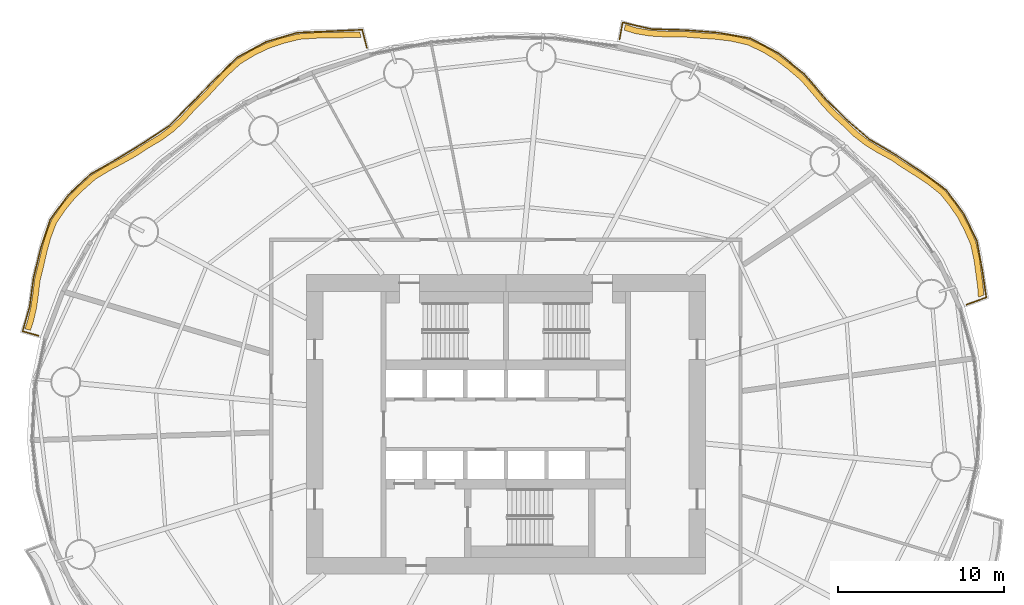
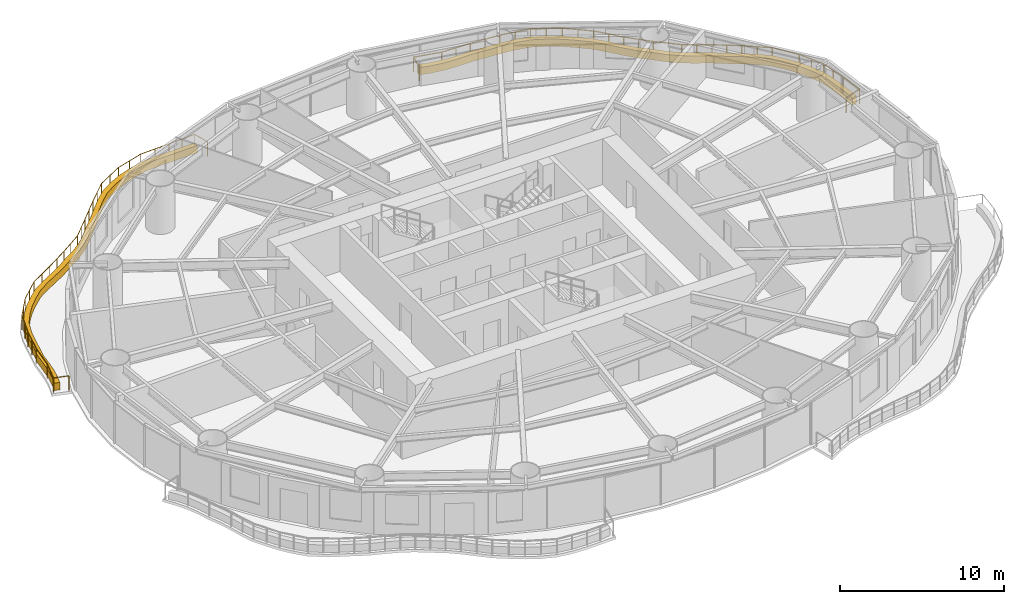
# One storey, part 16 of 16: 2 coverings, 2 railings.
"""IFC4 building model written with IfcOpenShell, lengths in metres."""

from ifc_helpers import new_model, si_unit, direction, frame, origin, origin_2d, place, context, subcontext, project, spatial, polyline, circle, outline, extrude, material, type_object, element, save


model = new_model("IFC4")

# Units and contexts
model_context = context("Model", 3, precision=1e-05, world=origin(), true_north=direction((0.0, 1.0)))
body_context = subcontext(model_context, "Body", "Model", "MODEL_VIEW")
ifc_project = project(units=[si_unit("LENGTHUNIT", "METRE"), si_unit("AREAUNIT", "SQUARE_METRE"), si_unit("VOLUMEUNIT", "CUBIC_METRE"), si_unit("PLANEANGLEUNIT", "RADIAN"), si_unit("MASSUNIT", "GRAM", prefix="KILO")], contexts=[model_context])

# Site, building, storey
site_placement = place(None, origin())
site = spatial("IfcSite", under=ifc_project, at=site_placement, CompositionType="ELEMENT")
building_placement = place(site_placement, origin())
building = spatial("IfcBuilding", under=site, at=building_placement, Name="Vermilion Reach Broadcast Tower", CompositionType="ELEMENT")
storey_placement = place(building_placement, frame((0.0, 0.0, 43.39990234375)))
storey = spatial("IfcBuildingStorey", under=building, at=storey_placement, Name="L07", CompositionType="ELEMENT", Elevation=43.39990234375)

# Coverings
ifc_material_1 = material(Name="Planting soil and greenery")
covering_type = type_object("IfcCoveringType", Name="Balcony PLANTER", PredefinedType="USERDEFINED", material=ifc_material_1)
placement = place(storey_placement, origin())
element("IfcCovering", 1, at=placement, inside=storey, type_object=covering_type, Name="PLANTER L07 group 1", ObjectType="PLANTER", PredefinedType="USERDEFINED", context=body_context, shape_type="SweptSolid", body=[
    extrude(outline(polyline([(22.726318359375, 7.765625), (22.67529296875, 8.394775390625), (22.5654296875, 9.213623046875), (22.451904296875, 10.03076171875), (22.241943359375, 10.986083984375), (21.837646484375, 11.88427734375), (21.4599609375, 12.602294921875), (21.0107421875, 13.273681640625), (20.40087890625, 14.03955078125), (19.616455078125, 14.675048828125), (18.901611328125, 15.14990234375), (18.16845703125, 15.609130859375), (17.37744140625, 16.1474609375), (16.52685546875, 16.6142578125), (15.7958984375, 17.0693359375), (15.123291015625, 17.591064453125), (14.46044921875, 18.23095703125), (13.75439453125, 18.8701171875), (13.14794921875, 19.53173828125), (12.565673828125, 20.229248046875), (11.88720703125, 20.999755859375), (11.08935546875, 21.6669921875), (10.36865234375, 22.22021484375), (9.605712890625, 22.68994140625), (8.669677734375, 23.130615234375), (7.635498046875, 23.367431640625), (6.705810546875, 23.477294921875), (5.7587890625, 23.54052734375), (4.72802734375, 23.62548828125), (3.687255859375, 23.626953125), (2.747802734375, 23.680908203125), (1.83251953125, 23.833984375), (1.1767578125, 24.0400390625), (1.113037109375, 23.69580078125), (1.75, 23.49365234375), (2.66552734375, 23.3408203125), (3.604736328125, 23.286865234375), (4.626708984375, 23.29052734375), (5.638671875, 23.211669921875), (6.585693359375, 23.148681640625), (7.515380859375, 23.038818359375), (8.530517578125, 22.8095703125), (9.447998046875, 22.37744140625), (10.2109375, 21.90771484375), (10.931640625, 21.354736328125), (11.710693359375, 20.697509765625), (12.37109375, 19.9384765625), (12.953369140625, 19.240966796875), (13.559814453125, 18.579345703125), (14.24755859375, 17.953125), (14.89306640625, 17.327392578125), (15.565673828125, 16.8056640625), (16.296630859375, 16.3505859375), (17.1298828125, 15.900146484375), (17.90478515625, 15.37890625), (18.637939453125, 14.919921875), (19.352783203125, 14.44482421875), (20.12158203125, 13.82861328125), (20.717041015625, 13.083251953125), (21.166259765625, 12.411865234375), (21.5439453125, 11.69384765625), (21.934814453125, 10.818115234375), (22.13330078125, 9.88623046875), (22.246826171875, 9.06884765625), (22.356689453125, 8.250244140625), (22.3974609375, 7.64599609375), (22.726318359375, 7.765625)])), origin(), (0.0, 0.0, 1.0), 0.550048828125),
])
element("IfcCovering", 2, at=placement, inside=storey, type_object=covering_type, Name="PLANTER L07 group 2", ObjectType="PLANTER", PredefinedType="USERDEFINED", context=body_context, shape_type="SweptSolid", body=[
    extrude(outline(polyline([(-14.79296875, 23.59228515625), (-15.51416015625, 23.583251953125), (-16.476806640625, 23.558837890625), (-17.44384765625, 23.548095703125), (-18.51953125, 23.4716796875), (-19.536865234375, 23.21337890625), (-20.40234375, 22.91796875), (-21.2236328125, 22.523193359375), (-22.125244140625, 21.97900390625), (-22.901123046875, 21.2744140625), (-23.537109375, 20.59619140625), (-24.16796875, 19.909423828125), (-24.88330078125, 19.20849609375), (-25.533447265625, 18.49267578125), (-26.173828125, 17.895263671875), (-26.874755859375, 17.37646484375), (-27.695556640625, 16.888427734375), (-28.48388671875, 16.366943359375), (-29.254638671875, 15.935791015625), (-30.0380859375, 15.517822265625), (-30.911376953125, 14.98681640625), (-31.648681640625, 14.32763671875), (-32.24267578125, 13.7392578125), (-32.76806640625, 13.0986328125), (-33.3251953125, 12.268310546875), (-33.679931640625, 11.346435546875), (-33.898681640625, 10.54345703125), (-34.0849609375, 9.72265625), (-34.32177734375, 8.7958984375), (-34.436279296875, 7.86865234375), (-34.55419921875, 7.068115234375), (-34.73486328125, 6.291015625), (-34.913818359375, 5.746826171875), (-34.57763671875, 5.6494140625), (-34.4072265625, 6.16796875), (-34.2265625, 6.945068359375), (-34.108642578125, 7.74560546875), (-34.004150390625, 8.648681640625), (-33.779052734375, 9.55224609375), (-33.5927734375, 10.373046875), (-33.374267578125, 11.176025390625), (-33.0322265625, 12.07666015625), (-32.489501953125, 12.88671875), (-31.964111328125, 13.52734375), (-31.3701171875, 14.115478515625), (-30.64794921875, 14.756591796875), (-29.790771484375, 15.270263671875), (-29.007080078125, 15.688232421875), (-28.236572265625, 16.119384765625), (-27.464599609375, 16.62548828125), (-26.6611328125, 17.099365234375), (-25.960205078125, 17.6181640625), (-25.31982421875, 18.215576171875), (-24.68701171875, 18.918701171875), (-23.98974609375, 19.608154296875), (-23.35888671875, 20.294921875), (-22.722900390625, 20.97314453125), (-21.96484375, 21.66796875), (-21.081787109375, 22.203125), (-20.26025390625, 22.597900390625), (-19.394775390625, 22.8935546875), (-18.395751953125, 23.144287109375), (-17.338623046875, 23.21435546875), (-16.371826171875, 23.224853515625), (-15.4091796875, 23.24951171875), (-14.706298828125, 23.253173828125), (-14.79296875, 23.59228515625)])), origin(), (0.0, 0.0, 1.0), 0.550048828125),
])

# Railings
ifc_material_2 = material(Name="Stainless steel 316 balustrade", Category="steel")
railing_type = type_object("IfcRailingType", Name="Balcony guard 1100", PredefinedType="BALUSTRADE", material=ifc_material_2)
railing_1_placement = place(storey_placement, frame((21.6875, 7.19677734375, 0.0)))
element("IfcRailing", 3, at=railing_1_placement, inside=storey, type_object=railing_type, Name="Balcony guard L07 group 1", PredefinedType="BALUSTRADE", context=body_context, shape_type="SweptSolid", body=[
    extrude(circle(Radius=0.02490234375, at=origin_2d()), frame((0.0, 0.0, 1.0751953125), z_axis=(0.939742686002, 0.341882558938, 0.0), x_axis=(-0.341882558938, 0.939742686002, 0.0)), (0.0, 0.0, 1.0), 1.2646484375),
    extrude(circle(Radius=0.02490234375, at=origin_2d()), frame((1.1884765625, 0.432373046875, 1.0751953125), z_axis=(-0.145433808661, 0.989367983765, 0.0), x_axis=(-0.989367983765, -0.145433808661, 0.0)), (0.0, 0.0, 1.0), 1.635009765625),
    extrude(circle(Radius=0.02490234375, at=origin_2d()), frame((0.95068359375, 2.050048828125, 1.0751953125), z_axis=(-0.180454189683, 0.983583390174, 0.0), x_axis=(-0.983583390174, -0.180454189683, 0.0)), (0.0, 0.0, 1.0), 1.8076171875),
    extrude(circle(Radius=0.02490234375, at=origin_2d()), frame((0.62451171875, 3.827880859375, 1.0751953125), z_axis=(-0.435791210622, 0.900047788034, 0.0), x_axis=(-0.900047788034, -0.435791210622, 0.0)), (0.0, 0.0, 1.0), 1.801025390625),
    extrude(circle(Radius=0.02490234375, at=origin_2d()), frame((-0.160400390625, 5.448974609375, 1.0751953125), z_axis=(-0.593129284902, 0.805107229747, 0.0), x_axis=(-0.805107229747, -0.593129284902, 0.0)), (0.0, 0.0, 1.0), 1.791015625),
    extrude(circle(Radius=0.02490234375, at=origin_2d()), frame((-1.22265625, 6.890869140625, 1.0751953125), z_axis=(-0.803120179844, 0.595817066496, 0.0), x_axis=(-0.595817066496, -0.803120179844, 0.0)), (0.0, 0.0, 1.0), 1.871337890625),
    extrude(circle(Radius=0.02490234375, at=origin_2d()), frame((-2.7255859375, 8.005859375, 1.0751953125), z_axis=(-0.836342809768, 0.548206808193, 0.0), x_axis=(-0.548206808193, -0.836342809768, 0.0)), (0.0, 0.0, 1.0), 1.826904296875),
    extrude(circle(Radius=0.02490234375, at=origin_2d()), frame((-4.25341796875, 9.00732421875, 1.0751953125), z_axis=(-0.863614861333, 0.504152131092, 0.0), x_axis=(-0.504152131092, -0.863614861333, 0.0)), (0.0, 0.0, 1.0), 1.8359375),
    extrude(circle(Radius=0.02490234375, at=origin_2d()), frame((-5.8388671875, 9.932861328125, 1.0751953125), z_axis=(-0.75462624749, 0.656154880039, 0.0), x_axis=(-0.656154880039, -0.75462624749, 0.0)), (0.0, 0.0, 1.0), 1.775146484375),
    extrude(circle(Radius=0.02490234375, at=origin_2d()), frame((-7.178466796875, 11.09765625, 1.0751953125), z_axis=(-0.710523965756, 0.703673002244, 0.0), x_axis=(-0.703673002244, -0.710523965756, 0.0)), (0.0, 0.0, 1.0), 1.85302734375),
    extrude(circle(Radius=0.02490234375, at=origin_2d()), frame((-8.4951171875, 12.401611328125, 1.0751953125), z_axis=(-0.652127537712, 0.758109276132, 0.0), x_axis=(-0.758109276132, -0.652127537712, 0.0)), (0.0, 0.0, 1.0), 1.939697265625),
    extrude(circle(Radius=0.02490234375, at=origin_2d()), frame((-9.760009765625, 13.8720703125, 1.0751953125), z_axis=(-0.779794425179, 0.626035665485, 0.0), x_axis=(-0.626035665485, -0.779794425179, 0.0)), (0.0, 0.0, 1.0), 1.953125),
    extrude(circle(Radius=0.02490234375, at=origin_2d()), frame((-11.282958984375, 15.0947265625, 1.0751953125), z_axis=(-0.88143488485, 0.472305561865, 0.0), x_axis=(-0.472305561865, -0.88143488485, 0.0)), (0.0, 0.0, 1.0), 1.93212890625),
    extrude(circle(Radius=0.02490234375, at=origin_2d()), frame((-12.986083984375, 16.00732421875, 1.0751953125), z_axis=(-0.984693666766, 0.174293954661, 0.0), x_axis=(-0.174293954661, -0.984693666766, 0.0)), (0.0, 0.0, 1.0), 1.998779296875),
    extrude(circle(Radius=0.02490234375, at=origin_2d()), frame((-14.954345703125, 16.355712890625, 1.0751953125), z_axis=(-0.99716116302, 0.075296845643, 0.0), x_axis=(-0.075296845643, -0.99716116302, 0.0)), (0.0, 0.0, 1.0), 1.987548828125),
    extrude(circle(Radius=0.02490234375, at=origin_2d()), frame((-16.936279296875, 16.50537109375, 1.0751953125), z_axis=(-0.999592888555, 0.02853168678, 0.0), x_axis=(-0.02853168678, -0.999592888555, 0.0)), (0.0, 0.0, 1.0), 1.985107421875),
    extrude(circle(Radius=0.02490234375, at=origin_2d()), frame((-18.920654296875, 16.56201171875, 1.0751953125), z_axis=(-0.974587837701, 0.224005684314, 0.0), x_axis=(-0.224005684314, -0.974587837701, 0.0)), (0.0, 0.0, 1.0), 1.796142578125),
    extrude(circle(Radius=0.02490234375, at=origin_2d()), frame((-20.671142578125, 16.96435546875, 1.0751953125), z_axis=(-0.181893683488, -0.983318202774, 0.0), x_axis=(0.983318202774, -0.181893683488, 0.0)), (0.0, 0.0, 1.0), 1.028076171875),
    extrude(circle(Radius=0.02490234375, at=origin_2d()), origin(), (0.0, 0.0, 1.0), 1.050048828125),
    extrude(circle(Radius=0.02490234375, at=origin_2d()), frame((1.1884765625, 0.432373046875, 0.0)), (0.0, 0.0, 1.0), 1.050048828125),
    extrude(circle(Radius=0.02490234375, at=origin_2d()), frame((0.95068359375, 2.050048828125, 0.0)), (0.0, 0.0, 1.0), 1.050048828125),
    extrude(circle(Radius=0.02490234375, at=origin_2d()), frame((0.78759765625, 2.93896484375, 0.0)), (0.0, 0.0, 1.0), 1.050048828125),
    extrude(circle(Radius=0.02490234375, at=origin_2d()), frame((0.62451171875, 3.827880859375, 0.0)), (0.0, 0.0, 1.0), 1.050048828125),
    extrude(circle(Radius=0.02490234375, at=origin_2d()), frame((0.23193359375, 4.638427734375, 0.0)), (0.0, 0.0, 1.0), 1.050048828125),
    extrude(circle(Radius=0.02490234375, at=origin_2d()), frame((-0.160400390625, 5.448974609375, 0.0)), (0.0, 0.0, 1.0), 1.050048828125),
    extrude(circle(Radius=0.02490234375, at=origin_2d()), frame((-1.22265625, 6.890869140625, 0.0)), (0.0, 0.0, 1.0), 1.050048828125),
    extrude(circle(Radius=0.02490234375, at=origin_2d()), frame((-1.97412109375, 7.4482421875, 0.0)), (0.0, 0.0, 1.0), 1.050048828125),
    extrude(circle(Radius=0.02490234375, at=origin_2d()), frame((-2.7255859375, 8.005859375, 0.0)), (0.0, 0.0, 1.0), 1.050048828125),
    extrude(circle(Radius=0.02490234375, at=origin_2d()), frame((-3.489501953125, 8.506591796875, 0.0)), (0.0, 0.0, 1.0), 1.050048828125),
    extrude(circle(Radius=0.02490234375, at=origin_2d()), frame((-4.25341796875, 9.00732421875, 0.0)), (0.0, 0.0, 1.0), 1.050048828125),
    extrude(circle(Radius=0.02490234375, at=origin_2d()), frame((-5.046142578125, 9.47021484375, 0.0)), (0.0, 0.0, 1.0), 1.050048828125),
    extrude(circle(Radius=0.02490234375, at=origin_2d()), frame((-5.8388671875, 9.932861328125, 0.0)), (0.0, 0.0, 1.0), 1.050048828125),
    extrude(circle(Radius=0.02490234375, at=origin_2d()), frame((-7.178466796875, 11.09765625, 0.0)), (0.0, 0.0, 1.0), 1.050048828125),
    extrude(circle(Radius=0.02490234375, at=origin_2d()), frame((-7.8369140625, 11.74951171875, 0.0)), (0.0, 0.0, 1.0), 1.050048828125),
    extrude(circle(Radius=0.02490234375, at=origin_2d()), frame((-8.4951171875, 12.401611328125, 0.0)), (0.0, 0.0, 1.0), 1.050048828125),
    extrude(circle(Radius=0.02490234375, at=origin_2d()), frame((-9.12744140625, 13.13671875, 0.0)), (0.0, 0.0, 1.0), 1.050048828125),
    extrude(circle(Radius=0.02490234375, at=origin_2d()), frame((-9.760009765625, 13.8720703125, 0.0)), (0.0, 0.0, 1.0), 1.050048828125),
    extrude(circle(Radius=0.02490234375, at=origin_2d()), frame((-10.521484375, 14.4833984375, 0.0)), (0.0, 0.0, 1.0), 1.050048828125),
    extrude(circle(Radius=0.02490234375, at=origin_2d()), frame((-11.282958984375, 15.0947265625, 0.0)), (0.0, 0.0, 1.0), 1.050048828125),
    extrude(circle(Radius=0.02490234375, at=origin_2d()), frame((-12.134521484375, 15.551025390625, 0.0)), (0.0, 0.0, 1.0), 1.050048828125),
    extrude(circle(Radius=0.02490234375, at=origin_2d()), frame((-12.986083984375, 16.00732421875, 0.0)), (0.0, 0.0, 1.0), 1.050048828125),
    extrude(circle(Radius=0.02490234375, at=origin_2d()), frame((-13.97021484375, 16.181640625, 0.0)), (0.0, 0.0, 1.0), 1.050048828125),
    extrude(circle(Radius=0.02490234375, at=origin_2d()), frame((-14.954345703125, 16.355712890625, 0.0)), (0.0, 0.0, 1.0), 1.050048828125),
    extrude(circle(Radius=0.02490234375, at=origin_2d()), frame((-15.9453125, 16.4306640625, 0.0)), (0.0, 0.0, 1.0), 1.050048828125),
    extrude(circle(Radius=0.02490234375, at=origin_2d()), frame((-16.936279296875, 16.50537109375, 0.0)), (0.0, 0.0, 1.0), 1.050048828125),
    extrude(circle(Radius=0.02490234375, at=origin_2d()), frame((-17.928466796875, 16.53369140625, 0.0)), (0.0, 0.0, 1.0), 1.050048828125),
    extrude(circle(Radius=0.02490234375, at=origin_2d()), frame((-18.920654296875, 16.56201171875, 0.0)), (0.0, 0.0, 1.0), 1.050048828125),
    extrude(circle(Radius=0.02490234375, at=origin_2d()), frame((-20.671142578125, 16.96435546875, 0.0)), (0.0, 0.0, 1.0), 1.050048828125),
    extrude(circle(Radius=0.02490234375, at=origin_2d()), frame((-20.858154296875, 15.953369140625, 0.0)), (0.0, 0.0, 1.0), 1.050048828125),
])
railing_2_placement = place(storey_placement, frame((-14.364501953125, 22.640869140625, 0.0)))
element("IfcRailing", 4, at=railing_2_placement, inside=storey, type_object=railing_type, Name="Balcony guard L07 group 2", PredefinedType="BALUSTRADE", context=body_context, shape_type="SweptSolid", body=[
    extrude(circle(Radius=0.02490234375, at=origin_2d()), frame((0.0, 0.0, 1.0751953125), z_axis=(-0.247261079285, 0.968948893735, 0.0), x_axis=(-0.968948893735, -0.247261079285, 0.0)), (0.0, 0.0, 1.0), 1.11767578125),
    extrude(circle(Radius=0.02490234375, at=origin_2d()), frame((-0.2763671875, 1.0830078125, 1.0751953125), z_axis=(-0.998860411742, -0.04772711865, 0.0), x_axis=(0.04772711865, -0.998860411742, 0.0)), (0.0, 0.0, 1.0), 1.862060546875),
    extrude(circle(Radius=0.02490234375, at=origin_2d()), frame((-2.13623046875, 0.994140625, 1.0751953125), z_axis=(-0.999064234153, -0.043251081335, 0.0), x_axis=(0.043251081335, -0.999064234153, 0.0)), (0.0, 0.0, 1.0), 2.049072265625),
    extrude(circle(Radius=0.02490234375, at=origin_2d()), frame((-4.183349609375, 0.905517578125, 1.0751953125), z_axis=(-0.959296290586, -0.282401534819, 0.0), x_axis=(0.282401534819, -0.959296290586, 0.0)), (0.0, 0.0, 1.0), 1.966796875),
    extrude(circle(Radius=0.02490234375, at=origin_2d()), frame((-6.070068359375, 0.35009765625, 1.0751953125), z_axis=(-0.8781610741, -0.478365057185, 0.0), x_axis=(0.478365057185, -0.8781610741, 0.0)), (0.0, 0.0, 1.0), 1.967041015625),
    extrude(circle(Radius=0.02490234375, at=origin_2d()), frame((-7.79736328125, -0.5908203125, 1.0751953125), z_axis=(-0.714890279158, -0.699236647184, 0.0), x_axis=(0.699236647184, -0.714890279158, 0.0)), (0.0, 0.0, 1.0), 1.980712890625),
    extrude(circle(Radius=0.02490234375, at=origin_2d()), frame((-9.21337890625, -1.975830078125, 1.0751953125), z_axis=(-0.696702356584, -0.717360318341, 0.0), x_axis=(0.717360318341, -0.696702356584, 0.0)), (0.0, 0.0, 1.0), 1.938232421875),
    extrude(circle(Radius=0.02490234375, at=origin_2d()), frame((-10.563720703125, -3.3662109375, 1.0751953125), z_axis=(-0.701263220782, -0.712902444363, 0.0), x_axis=(0.712902444363, -0.701263220782, 0.0)), (0.0, 0.0, 1.0), 1.845947265625),
    extrude(circle(Radius=0.02490234375, at=origin_2d()), frame((-11.858154296875, -4.68212890625, 1.0751953125), z_axis=(-0.833811195906, -0.552049716585, 0.0), x_axis=(0.552049716585, -0.833811195906, 0.0)), (0.0, 0.0, 1.0), 1.830078125),
    extrude(circle(Radius=0.02490234375, at=origin_2d()), frame((-13.384033203125, -5.6923828125, 1.0751953125), z_axis=(-0.852991780403, -0.521924345634, 0.0), x_axis=(0.521924345634, -0.852991780403, 0.0)), (0.0, 0.0, 1.0), 1.831787109375),
    extrude(circle(Radius=0.02490234375, at=origin_2d()), frame((-14.946533203125, -6.6484375, 1.0751953125), z_axis=(-0.86735503779, -0.497689901866, 0.0), x_axis=(0.497689901866, -0.86735503779, 0.0)), (0.0, 0.0, 1.0), 1.91455078125),
    extrude(circle(Radius=0.02490234375, at=origin_2d()), frame((-16.607177734375, -7.601318359375, 1.0751953125), z_axis=(-0.729358280772, -0.684131930456, 0.0), x_axis=(0.684131930456, -0.729358280772, 0.0)), (0.0, 0.0, 1.0), 1.830078125),
    extrude(circle(Radius=0.02490234375, at=origin_2d()), frame((-17.94189453125, -8.853271484375, 1.0751953125), z_axis=(-0.592639746474, -0.805467647333, 0.0), x_axis=(0.805467647333, -0.592639746474, 0.0)), (0.0, 0.0, 1.0), 1.83203125),
    extrude(circle(Radius=0.02490234375, at=origin_2d()), frame((-19.027587890625, -10.328857421875, 1.0751953125), z_axis=(-0.316147422463, -0.948710075455, 0.0), x_axis=(0.948710075455, -0.316147422463, 0.0)), (0.0, 0.0, 1.0), 1.8232421875),
    extrude(circle(Radius=0.02490234375, at=origin_2d()), frame((-19.60400390625, -12.05859375, 1.0751953125), z_axis=(-0.236161637301, -0.97171378557, 0.0), x_axis=(0.97171378557, -0.236161637301, 0.0)), (0.0, 0.0, 1.0), 1.803955078125),
    extrude(circle(Radius=0.02490234375, at=origin_2d()), frame((-20.030029296875, -13.8115234375, 1.0751953125), z_axis=(-0.134147607842, -0.990961361159, 0.0), x_axis=(0.990961361159, -0.134147607842, 0.0)), (0.0, 0.0, 1.0), 1.7490234375),
    extrude(circle(Radius=0.02490234375, at=origin_2d()), frame((-20.2646484375, -15.544677734375, 1.0751953125), z_axis=(-0.27322755558, -0.961949428438, 0.0), x_axis=(0.961949428438, -0.27322755558, 0.0)), (0.0, 0.0, 1.0), 1.5546875),
    extrude(circle(Radius=0.02490234375, at=origin_2d()), frame((-20.689453125, -17.040283203125, 1.0751953125), z_axis=(0.960517234056, -0.278220493641, 0.0), x_axis=(0.278220493641, 0.960517234056, 0.0)), (0.0, 0.0, 1.0), 0.9853515625),
    extrude(circle(Radius=0.02490234375, at=origin_2d()), origin(), (0.0, 0.0, 1.0), 1.050048828125),
    extrude(circle(Radius=0.02490234375, at=origin_2d()), frame((-0.2763671875, 1.0830078125, 0.0)), (0.0, 0.0, 1.0), 1.050048828125),
    extrude(circle(Radius=0.02490234375, at=origin_2d()), frame((-1.206298828125, 1.03857421875, 0.0)), (0.0, 0.0, 1.0), 1.050048828125),
    extrude(circle(Radius=0.02490234375, at=origin_2d()), frame((-2.13623046875, 0.994140625, 0.0)), (0.0, 0.0, 1.0), 1.050048828125),
    extrude(circle(Radius=0.02490234375, at=origin_2d()), frame((-3.15966796875, 0.94970703125, 0.0)), (0.0, 0.0, 1.0), 1.050048828125),
    extrude(circle(Radius=0.02490234375, at=origin_2d()), frame((-4.183349609375, 0.905517578125, 0.0)), (0.0, 0.0, 1.0), 1.050048828125),
    extrude(circle(Radius=0.02490234375, at=origin_2d()), frame((-5.126708984375, 0.6279296875, 0.0)), (0.0, 0.0, 1.0), 1.050048828125),
    extrude(circle(Radius=0.02490234375, at=origin_2d()), frame((-6.070068359375, 0.35009765625, 0.0)), (0.0, 0.0, 1.0), 1.050048828125),
    extrude(circle(Radius=0.02490234375, at=origin_2d()), frame((-6.93359375, -0.120361328125, 0.0)), (0.0, 0.0, 1.0), 1.050048828125),
    extrude(circle(Radius=0.02490234375, at=origin_2d()), frame((-7.79736328125, -0.5908203125, 0.0)), (0.0, 0.0, 1.0), 1.050048828125),
    extrude(circle(Radius=0.02490234375, at=origin_2d()), frame((-8.50537109375, -1.283203125, 0.0)), (0.0, 0.0, 1.0), 1.050048828125),
    extrude(circle(Radius=0.02490234375, at=origin_2d()), frame((-9.21337890625, -1.975830078125, 0.0)), (0.0, 0.0, 1.0), 1.050048828125),
    extrude(circle(Radius=0.02490234375, at=origin_2d()), frame((-9.888671875, -2.6708984375, 0.0)), (0.0, 0.0, 1.0), 1.050048828125),
    extrude(circle(Radius=0.02490234375, at=origin_2d()), frame((-10.563720703125, -3.3662109375, 0.0)), (0.0, 0.0, 1.0), 1.050048828125),
    extrude(circle(Radius=0.02490234375, at=origin_2d()), frame((-11.2109375, -4.024169921875, 0.0)), (0.0, 0.0, 1.0), 1.050048828125),
    extrude(circle(Radius=0.02490234375, at=origin_2d()), frame((-11.858154296875, -4.68212890625, 0.0)), (0.0, 0.0, 1.0), 1.050048828125),
    extrude(circle(Radius=0.02490234375, at=origin_2d()), frame((-12.62109375, -5.187255859375, 0.0)), (0.0, 0.0, 1.0), 1.050048828125),
    extrude(circle(Radius=0.02490234375, at=origin_2d()), frame((-13.384033203125, -5.6923828125, 0.0)), (0.0, 0.0, 1.0), 1.050048828125),
    extrude(circle(Radius=0.02490234375, at=origin_2d()), frame((-14.165283203125, -6.17041015625, 0.0)), (0.0, 0.0, 1.0), 1.050048828125),
    extrude(circle(Radius=0.02490234375, at=origin_2d()), frame((-14.946533203125, -6.6484375, 0.0)), (0.0, 0.0, 1.0), 1.050048828125),
    extrude(circle(Radius=0.02490234375, at=origin_2d()), frame((-15.77685546875, -7.125, 0.0)), (0.0, 0.0, 1.0), 1.050048828125),
    extrude(circle(Radius=0.02490234375, at=origin_2d()), frame((-16.607177734375, -7.601318359375, 0.0)), (0.0, 0.0, 1.0), 1.050048828125),
    extrude(circle(Radius=0.02490234375, at=origin_2d()), frame((-17.2744140625, -8.227294921875, 0.0)), (0.0, 0.0, 1.0), 1.050048828125),
    extrude(circle(Radius=0.02490234375, at=origin_2d()), frame((-17.94189453125, -8.853271484375, 0.0)), (0.0, 0.0, 1.0), 1.050048828125),
    extrude(circle(Radius=0.02490234375, at=origin_2d()), frame((-18.48486328125, -9.591064453125, 0.0)), (0.0, 0.0, 1.0), 1.050048828125),
    extrude(circle(Radius=0.02490234375, at=origin_2d()), frame((-19.027587890625, -10.328857421875, 0.0)), (0.0, 0.0, 1.0), 1.050048828125),
    extrude(circle(Radius=0.02490234375, at=origin_2d()), frame((-19.31591796875, -11.19384765625, 0.0)), (0.0, 0.0, 1.0), 1.050048828125),
    extrude(circle(Radius=0.02490234375, at=origin_2d()), frame((-19.60400390625, -12.05859375, 0.0)), (0.0, 0.0, 1.0), 1.050048828125),
    extrude(circle(Radius=0.02490234375, at=origin_2d()), frame((-19.81689453125, -12.93505859375, 0.0)), (0.0, 0.0, 1.0), 1.050048828125),
    extrude(circle(Radius=0.02490234375, at=origin_2d()), frame((-20.030029296875, -13.8115234375, 0.0)), (0.0, 0.0, 1.0), 1.050048828125),
    extrude(circle(Radius=0.02490234375, at=origin_2d()), frame((-20.2646484375, -15.544677734375, 0.0)), (0.0, 0.0, 1.0), 1.050048828125),
    extrude(circle(Radius=0.02490234375, at=origin_2d()), frame((-20.689453125, -17.040283203125, 0.0)), (0.0, 0.0, 1.0), 1.050048828125),
    extrude(circle(Radius=0.02490234375, at=origin_2d()), frame((-19.742919921875, -17.314453125, 0.0)), (0.0, 0.0, 1.0), 1.050048828125),
])

save(model, "model.ifc")
